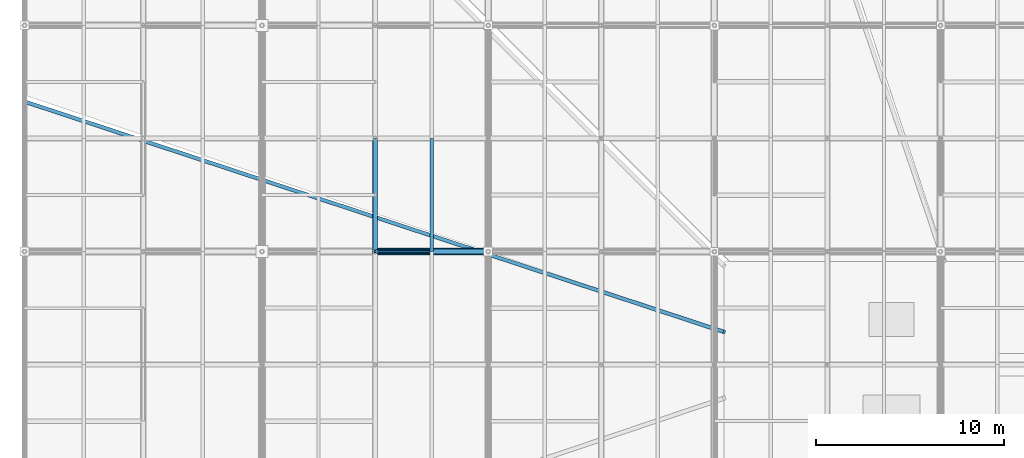
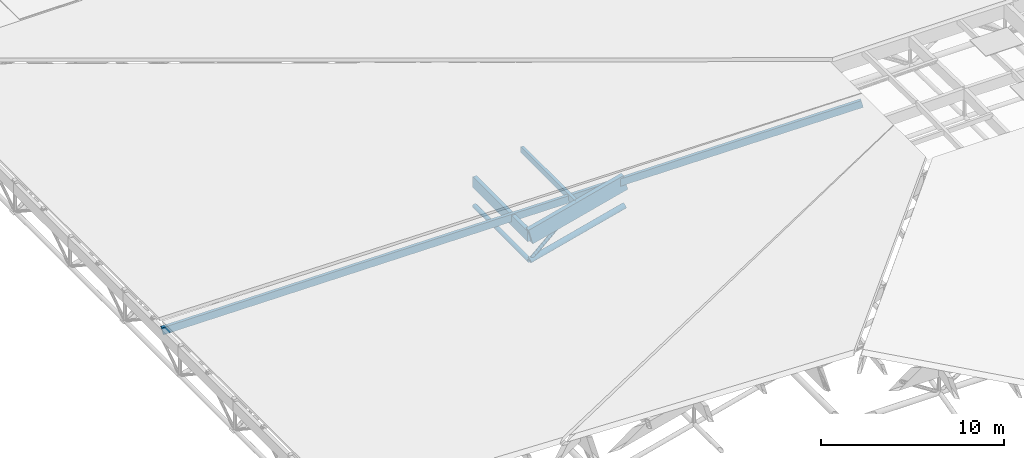
# One storey, part 18 of 80: 7 members.
"""IFC4 building model written with IfcOpenShell, lengths in metres."""

from ifc_helpers import new_model, si_unit, direction, frame, origin, origin_2d, place, context, subcontext, project, spatial, rectangle, hollow_circle, extrude, material, material_profile, profile_set, type_object, element, save


model = new_model("IFC4")

# Units and contexts
model_context = context("Model", 3, precision=1e-05, world=origin(), true_north=direction((0.0, 1.0)))
body_context = subcontext(model_context, "Body", "Model", "MODEL_VIEW")
ifc_project = project(units=[si_unit("LENGTHUNIT", "METRE"), si_unit("AREAUNIT", "SQUARE_METRE"), si_unit("VOLUMEUNIT", "CUBIC_METRE"), si_unit("PLANEANGLEUNIT", "RADIAN"), si_unit("MASSUNIT", "GRAM", prefix="KILO"), si_unit("THERMODYNAMICTEMPERATUREUNIT", "KELVIN"), si_unit("POWERUNIT", "WATT")], contexts=[model_context])

# Site, building, storey
site_placement = place(None, origin())
site = spatial("IfcSite", under=ifc_project, at=site_placement, CompositionType="ELEMENT")
building_placement = place(site_placement, origin())
building = spatial("IfcBuilding", under=site, at=building_placement, Name="Solmara Park Aquatics Centre", CompositionType="ELEMENT")
storey_placement = place(building_placement, frame((0.0, 0.0, 22.800048828125)))
storey = spatial("IfcBuildingStorey", under=building, at=storey_placement, Name="RF", CompositionType="ELEMENT", Elevation=22.800048828125)

# Members
ifc_material_1 = material(Name="Structural Steel S355", Category="steel")
ifc_material_profile_1 = material_profile(ifc_material_1, hollow_circle(Radius=0.109619140625, WallThickness=0.010009765625, at=origin_2d()), Name="CHS 219.1x10")
ifc_profile_set_1 = profile_set([ifc_material_profile_1], Name="Structural Steel S355")
member_type_1 = type_object("IfcMemberType", Name="STR-BRC-CHS219", PredefinedType="BRACE", material=ifc_profile_set_1)
member_1_placement = place(storey_placement, frame((18.60009765625, 48.60009765625, -9.58984375), z_axis=(0.741347083846, 0.0, 0.671121822974), x_axis=(0.0, 1.0, 0.0)))
element("IfcMember", 1, at=member_1_placement, inside=storey, type_object=member_type_1, Name="Roof Truss Web Diagonal X 1441", PredefinedType="BRACE", context=body_context, shape_type="SweptSolid", body=[
    extrude(hollow_circle(Radius=0.109619140625, WallThickness=0.010009765625, at=origin_2d()), origin(), (0.0, 0.0, 1.0), 4.046630859375),
])
ifc_material_profile_2 = material_profile(ifc_material_1, hollow_circle(Radius=0.136474609375, WallThickness=0.012451171875, at=origin_2d()), Name="CHS 273x12.5")
ifc_profile_set_2 = profile_set([ifc_material_profile_2], Name="Structural Steel S355")
member_type_2 = type_object("IfcMemberType", Name="STR-CHD-CHS273", PredefinedType="CHORD", material=ifc_profile_set_2)
member_2_placement = place(storey_placement, frame((18.60009765625, 48.60009765625, -9.58984375), z_axis=(0.0, 1.0, 0.0), x_axis=(-1.0, 0.0, 0.0)))
element("IfcMember", 2, at=member_2_placement, inside=storey, type_object=member_type_2, Name="Steel Roof Truss Bottom Chord Y 0642", PredefinedType="CHORD", context=body_context, shape_type="SweptSolid", body=[
    extrude(hollow_circle(Radius=0.136474609375, WallThickness=0.012451171875, at=origin_2d()), origin(), (0.0, 0.0, 1.0), 6.0),
])
ifc_material_profile_3 = material_profile(ifc_material_1, hollow_circle(Radius=0.177734375, WallThickness=0.01611328125, at=origin_2d()), Name="CHS 355.6x16")
ifc_profile_set_3 = profile_set([ifc_material_profile_3], Name="Structural Steel S355")
member_type_3 = type_object("IfcMemberType", Name="STR-CHD-CHS355", PredefinedType="CHORD", material=ifc_profile_set_3)
member_3_placement = place(storey_placement, frame((18.60009765625, 48.60009765625, -9.58984375), z_axis=(0.968145594442, 0.0, 0.250387914969), x_axis=(0.0, 1.0, 0.0)))
element("IfcMember", 3, at=member_3_placement, inside=storey, type_object=member_type_3, Name="Steel Roof Truss Bottom Chord X 0296", PredefinedType="CHORD", context=body_context, shape_type="SweptSolid", body=[
    extrude(hollow_circle(Radius=0.177734375, WallThickness=0.01611328125, at=origin_2d()), origin(), (0.0, 0.0, 1.0), 6.197509765625),
])
ifc_material_2 = material(Name="Glulam Timber GL28h", Category="wood")
ifc_material_profile_4 = material_profile(ifc_material_2, rectangle(XDim=0.239990234375, YDim=0.719970703125, at=origin_2d()), Name="GL28h 240x720")
ifc_profile_set_4 = profile_set([ifc_material_profile_4], Name="Glulam Timber GL28h")
member_type_4 = type_object("IfcMemberType", Name="STR-CHD-GL240x720", PredefinedType="CHORD", material=ifc_profile_set_4)
member_4_placement = place(storey_placement, frame((18.60009765625, 48.60009765625, -7.9697265625), z_axis=(0.0, 1.0, 0.0), x_axis=(-1.0, 0.0, 0.0)))
element("IfcMember", 4, at=member_4_placement, inside=storey, type_object=member_type_4, Name="Glulam Roof Truss Top Chord Y 0641", PredefinedType="CHORD", context=body_context, shape_type="SweptSolid", body=[
    extrude(rectangle(XDim=0.239990234375, YDim=0.719970703125, at=origin_2d()), origin(), (0.0, 0.0, 1.0), 6.0),
])
ifc_material_profile_5 = material_profile(ifc_material_2, rectangle(XDim=0.280029296875, YDim=1.0400390625, at=origin_2d()), Name="GL28h 280x1040")
ifc_profile_set_5 = profile_set([ifc_material_profile_5], Name="Glulam Timber GL28h")
member_type_5 = type_object("IfcMemberType", Name="STR-CHD-GL280x1040", PredefinedType="CHORD", material=ifc_profile_set_5)
member_5_placement = place(storey_placement, frame((18.60009765625, 48.60009765625, -7.9697265625), z_axis=(0.968145594442, 0.0, 0.250387914969), x_axis=(0.0, 1.0, 0.0)))
element("IfcMember", 5, at=member_5_placement, inside=storey, type_object=member_type_5, Name="Glulam Roof Truss Top Chord X 0295", PredefinedType="CHORD", context=body_context, shape_type="SweptSolid", body=[
    extrude(rectangle(XDim=0.280029296875, YDim=1.0400390625, at=origin_2d()), origin(), (0.0, 0.0, 1.0), 6.197509765625),
])
ifc_material_profile_6 = material_profile(ifc_material_2, rectangle(XDim=0.179931640625, YDim=0.39990234375, at=origin_2d()), Name="GL28h 180x400")
ifc_profile_set_6 = profile_set([ifc_material_profile_6], Name="Glulam Timber GL28h")
member_type_6 = type_object("IfcMemberType", Name="STR-PRL-GL180x400", PredefinedType="PURLIN", material=ifc_profile_set_6)
member_6_placement = place(storey_placement, frame((21.60009765625, 48.60009765625, -6.8740234375), z_axis=(0.0, 1.0, 0.0), x_axis=(-1.0, 0.0, 0.0)))
element("IfcMember", 6, at=member_6_placement, inside=storey, type_object=member_type_6, Name="Glulam Roof Purlin 1429", PredefinedType="PURLIN", context=body_context, shape_type="SweptSolid", body=[
    extrude(rectangle(XDim=0.179931640625, YDim=0.39990234375, at=origin_2d()), origin(), (0.0, 0.0, 1.0), 6.0),
])
ifc_material_profile_7 = material_profile(ifc_material_2, rectangle(XDim=0.199951171875, YDim=0.47998046875, at=origin_2d()), Name="GL28h 200x480")
ifc_profile_set_7 = profile_set([ifc_material_profile_7], Name="Glulam Timber GL28h")
member_type_7 = type_object("IfcMemberType", Name="STR-RFT-GL200x480", PredefinedType="RAFTER", material=ifc_profile_set_7)
member_7_placement = place(storey_placement, frame((0.0, 56.55712890625, -12.60009765625), z_axis=(0.922395660192, -0.303774682939, 0.238552275329), x_axis=(0.312805484367, 0.949817208177, 0.0)))
element("IfcMember", 7, at=member_7_placement, inside=storey, type_object=member_type_7, Name="Glulam Hip Jack Rafter WEST-2", PredefinedType="RAFTER", context=body_context, shape_type="SweptSolid", body=[
    extrude(rectangle(XDim=0.199951171875, YDim=0.47998046875, at=origin_2d()), origin(), (0.0, 0.0, 1.0), 40.2431640625),
])

save(model, "model.ifc")
